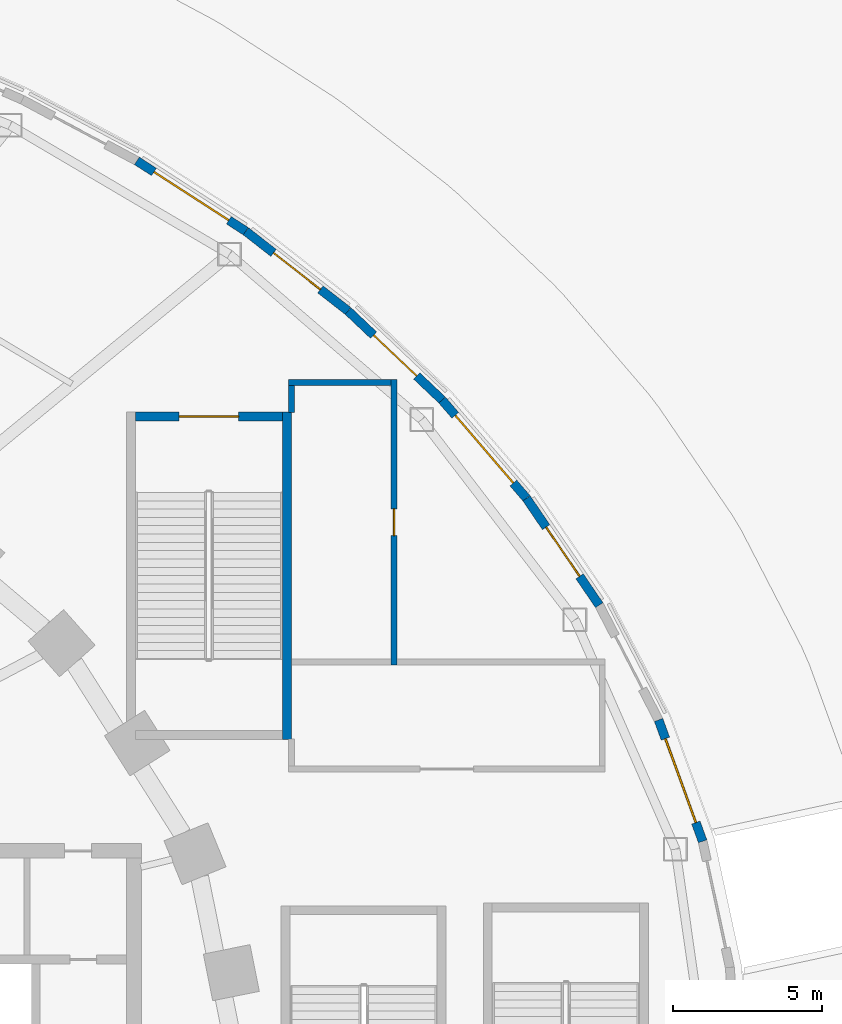
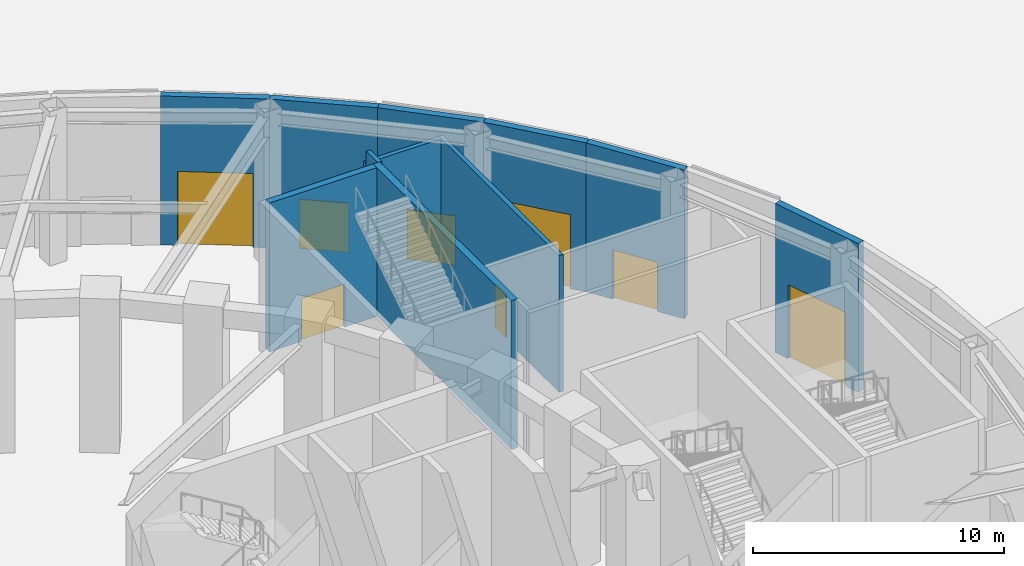
# One storey, part 49 of 79: 11 walls, 5 doors, 3 windows, 8 openings.
"""IFC4 building model written with IfcOpenShell, lengths in metres."""

from ifc_helpers import new_model, si_unit, direction, frame, frame_2d, origin, place, context, subcontext, project, spatial, rectangle, extrude, material, layer, layer_set, type_object, element, fill, save


model = new_model("IFC4")

# Units and contexts
model_context = context("Model", 3, precision=1e-05, world=origin(), true_north=direction((0.0, 1.0)))
body_context = subcontext(model_context, "Body", "Model", "MODEL_VIEW")
ifc_project = project(units=[si_unit("LENGTHUNIT", "METRE"), si_unit("AREAUNIT", "SQUARE_METRE"), si_unit("VOLUMEUNIT", "CUBIC_METRE"), si_unit("PLANEANGLEUNIT", "RADIAN"), si_unit("MASSUNIT", "GRAM", prefix="KILO")], contexts=[model_context])

# Site, building, storey
site_placement = place(None, origin())
site = spatial("IfcSite", under=ifc_project, at=site_placement, CompositionType="ELEMENT")
building_placement = place(site_placement, origin())
building = spatial("IfcBuilding", under=site, at=building_placement, Name="Noorbagh Ring Tower", CompositionType="ELEMENT")
storey_placement = place(building_placement, origin())
storey = spatial("IfcBuildingStorey", under=building, at=storey_placement, Name="L00", CompositionType="ELEMENT", Elevation=0.0)

# Wall, opening, window
ifc_material_1 = material(Name="Blockwork faced with red sandstone", Category="masonry")
ifc_layer_1 = layer(ifc_material_1, 0.300048828125)
ifc_layer_set_1 = layer_set([ifc_layer_1], Name="Blockwork faced with red sandstone")
wall_type_1 = type_object("IfcWallType", Name="GND-ENV-WALL", PredefinedType="SOLIDWALL", material=ifc_layer_set_1)
wall_1_placement = place(storey_placement, frame((50.3759765625, 8.56787109375, 0.0), z_axis=(0.0, 0.0, 1.0), x_axis=(-0.341286990045, 0.939959142956, 0.0)))
wall_1 = element("IfcWall", 1, at=wall_1_placement, inside=storey, type_object=wall_type_1, Name="Podium wall", PredefinedType="SOLIDWALL", context=body_context, shape_type="SweptSolid", body=[
    extrude(rectangle(XDim=4.341552734375, YDim=0.300048828125, at=frame_2d((2.1708984375, 0.0))), origin(), (0.0, 0.0, 1.0), 7.25),
])
opening_1_placement = place(wall_1_placement, frame((0.6708984375, 0.0, 0.0)))
opening_1 = element("IfcOpeningElement", 2, at=opening_1_placement, cuts=wall_1, Name="Opening GWN2", PredefinedType="OPENING", context=body_context, shape_type="SweptSolid", body=[
    extrude(rectangle(XDim=3.0, YDim=3.60009765625, at=frame_2d((1.5, 1.800048828125))), frame((0.0, 0.16015625, 0.0), z_axis=(0.0, -1.0, 0.0), x_axis=(1.0, 0.0, 0.0)), (0.0, 0.0, 1.0), 0.320068359375),
])
ifc_material_2 = material(Name="Aluminium and glass", Category="aluminium")
window_type = type_object("IfcWindowType", Name="GND-ENV-SHOPFRONT", PartitioningType="SINGLE_PANEL", PredefinedType="WINDOW", material=ifc_material_2)
window_1_placement = place(opening_1_placement, origin())
window_1 = element("IfcWindow", 3, at=window_1_placement, inside=storey, type_object=window_type, Name="L00 podium window", OverallHeight=3.60009765625, OverallWidth=3.0, PartitioningType="SINGLE_PANEL", PredefinedType="WINDOW", context=body_context, shape_type="SweptSolid", body=[
    extrude(rectangle(XDim=3.0, YDim=3.60009765625, at=frame_2d((1.5, 1.800048828125))), frame((0.0, 0.030029296875, 0.0), z_axis=(0.0, -1.0, 0.0), x_axis=(1.0, 0.0, 0.0)), (0.0, 0.0, 1.0), 0.06005859375),
])
fill(opening_1, window_1)

# Wall, opening, door
wall_2_placement = place(storey_placement, frame((46.89892578125, 16.50830078125, 0.0), z_axis=(0.0, 0.0, 1.0), x_axis=(-0.562667738859, 0.82668314102, 0.0)))
wall_2 = element("IfcWall", 4, at=wall_2_placement, inside=storey, type_object=wall_type_1, Name="Podium wall", PredefinedType="SOLIDWALL", context=body_context, shape_type="SweptSolid", body=[
    extrude(rectangle(XDim=4.348876953125, YDim=0.300048828125, at=frame_2d((2.17431640625, 0.0))), origin(), (0.0, 0.0, 1.0), 7.25),
])
opening_2_placement = place(wall_2_placement, frame((1.17431640625, 0.0, 0.0)))
opening_2 = element("IfcOpeningElement", 5, at=opening_2_placement, cuts=wall_2, Name="Opening GD13", PredefinedType="OPENING", context=body_context, shape_type="SweptSolid", body=[
    extrude(rectangle(XDim=2.0, YDim=2.39990234375, at=frame_2d((1.0, 1.199951171875))), frame((0.0, 0.16015625, 0.0), z_axis=(0.0, -1.0, 0.0), x_axis=(1.0, 0.0, 0.0)), (0.0, 0.0, 1.0), 0.320068359375),
])
ifc_material_3 = material(Name="Aluminium and glass", Category="aluminium")
door_type_1 = type_object("IfcDoorType", Name="GND-DOOR-EXIT", OperationType="DOUBLE_DOOR_SINGLE_SWING", PredefinedType="DOOR", material=ifc_material_3)
door_1_placement = place(opening_2_placement, frame((2.0, 0.0, 0.0), z_axis=(0.0, 0.0, 1.0), x_axis=(-1.0, 0.0, 0.0)))
door_1 = element("IfcDoor", 6, at=door_1_placement, inside=storey, type_object=door_type_1, Name="Exit door FX02", OperationType="DOUBLE_DOOR_SINGLE_SWING", OverallHeight=2.39990234375, OverallWidth=2.0, PredefinedType="DOOR", context=body_context, shape_type="SweptSolid", body=[
    extrude(rectangle(XDim=2.0, YDim=2.39990234375, at=frame_2d((1.0, 1.199951171875))), frame((0.0, 0.025146484375, 0.0), z_axis=(0.0, -1.0, 0.0), x_axis=(1.0, 0.0, 0.0)), (0.0, 0.0, 1.0), 0.050048828125),
])
fill(opening_2, door_1)

# Wall, opening, window
wall_3_placement = place(storey_placement, frame((44.451904296875, 20.103515625, 0.0), z_axis=(0.0, 0.0, 1.0), x_axis=(-0.651387059497, 0.758745608699, 0.0)))
wall_3 = element("IfcWall", 7, at=wall_3_placement, inside=storey, type_object=wall_type_1, Name="Podium wall", PredefinedType="SOLIDWALL", context=body_context, shape_type="SweptSolid", body=[
    extrude(rectangle(XDim=4.3525390625, YDim=0.300048828125, at=frame_2d((2.17626953125, 0.0))), origin(), (0.0, 0.0, 1.0), 7.25),
])
opening_3_placement = place(wall_3_placement, frame((0.67626953125, 0.0, 0.0)))
opening_3 = element("IfcOpeningElement", 8, at=opening_3_placement, cuts=wall_3, Name="Opening GWN2", PredefinedType="OPENING", context=body_context, shape_type="SweptSolid", body=[
    extrude(rectangle(XDim=3.0, YDim=3.60009765625, at=frame_2d((1.5, 1.800048828125))), frame((0.0, 0.16015625, 0.0), z_axis=(0.0, -1.0, 0.0), x_axis=(1.0, 0.0, 0.0)), (0.0, 0.0, 1.0), 0.320068359375),
])
window_2_placement = place(opening_3_placement, origin())
window_2 = element("IfcWindow", 9, at=window_2_placement, inside=storey, type_object=window_type, Name="L00 podium window", OverallHeight=3.60009765625, OverallWidth=3.0, PartitioningType="SINGLE_PANEL", PredefinedType="WINDOW", context=body_context, shape_type="SweptSolid", body=[
    extrude(rectangle(XDim=3.0, YDim=3.60009765625, at=frame_2d((1.5, 1.800048828125))), frame((0.0, 0.030029296875, 0.0), z_axis=(0.0, -1.0, 0.0), x_axis=(1.0, 0.0, 0.0)), (0.0, 0.0, 1.0), 0.06005859375),
])
fill(opening_3, window_2)

# Wall, opening, door
wall_4_placement = place(storey_placement, frame((41.61669921875, 23.406005859375, 0.0), z_axis=(0.0, 0.0, 1.0), x_axis=(-0.72620446032, 0.687478786444, 0.0)))
wall_4 = element("IfcWall", 10, at=wall_4_placement, inside=storey, type_object=wall_type_1, Name="Podium wall", PredefinedType="SOLIDWALL", context=body_context, shape_type="SweptSolid", body=[
    extrude(rectangle(XDim=4.356201171875, YDim=0.300048828125, at=frame_2d((2.17822265625, 0.0))), origin(), (0.0, 0.0, 1.0), 7.25),
])
opening_4_placement = place(wall_4_placement, frame((1.177978515625, 0.0, 0.0)))
opening_4 = element("IfcOpeningElement", 11, at=opening_4_placement, cuts=wall_4, Name="Opening GD13", PredefinedType="OPENING", context=body_context, shape_type="SweptSolid", body=[
    extrude(rectangle(XDim=2.0, YDim=2.39990234375, at=frame_2d((1.0, 1.199951171875))), frame((0.0, 0.16015625, 0.0), z_axis=(0.0, -1.0, 0.0), x_axis=(1.0, 0.0, 0.0)), (0.0, 0.0, 1.0), 0.320068359375),
])
door_2_placement = place(opening_4_placement, frame((2.0, 0.0, 0.0), z_axis=(0.0, 0.0, 1.0), x_axis=(-1.0, 0.0, 0.0)))
door_2 = element("IfcDoor", 12, at=door_2_placement, inside=storey, type_object=door_type_1, Name="Exit door FX03", OperationType="DOUBLE_DOOR_SINGLE_SWING", OverallHeight=2.39990234375, OverallWidth=2.0, PredefinedType="DOOR", context=body_context, shape_type="SweptSolid", body=[
    extrude(rectangle(XDim=2.0, YDim=2.39990234375, at=frame_2d((1.0, 1.199951171875))), frame((0.0, 0.025146484375, 0.0), z_axis=(0.0, -1.0, 0.0), x_axis=(1.0, 0.0, 0.0)), (0.0, 0.0, 1.0), 0.050048828125),
])
fill(opening_4, door_2)

wall_5_placement = place(storey_placement, frame((38.453125, 26.40087890625, 0.0), z_axis=(0.0, 0.0, 1.0), x_axis=(-0.788491985196, 0.615045030288, 0.0)))
wall_5 = element("IfcWall", 13, at=wall_5_placement, inside=storey, type_object=wall_type_1, Name="Podium wall", PredefinedType="SOLIDWALL", context=body_context, shape_type="SweptSolid", body=[
    extrude(rectangle(XDim=4.359375, YDim=0.300048828125, at=frame_2d((2.1796875, 0.0))), origin(), (0.0, 0.0, 1.0), 7.25),
])
opening_5_placement = place(wall_5_placement, frame((1.1796875, 0.0, 0.0)))
opening_5 = element("IfcOpeningElement", 14, at=opening_5_placement, cuts=wall_5, Name="Opening GD13", PredefinedType="OPENING", context=body_context, shape_type="SweptSolid", body=[
    extrude(rectangle(XDim=2.0, YDim=2.39990234375, at=frame_2d((1.0, 1.199951171875))), frame((0.0, 0.16015625, 0.0), z_axis=(0.0, -1.0, 0.0), x_axis=(1.0, 0.0, 0.0)), (0.0, 0.0, 1.0), 0.320068359375),
])
door_3_placement = place(opening_5_placement, frame((2.0, 0.0, 0.0), z_axis=(0.0, 0.0, 1.0), x_axis=(-1.0, 0.0, 0.0)))
door_3 = element("IfcDoor", 15, at=door_3_placement, inside=storey, type_object=door_type_1, Name="Exit door FX04", OperationType="DOUBLE_DOOR_SINGLE_SWING", OverallHeight=2.39990234375, OverallWidth=2.0, PredefinedType="DOOR", context=body_context, shape_type="SweptSolid", body=[
    extrude(rectangle(XDim=2.0, YDim=2.39990234375, at=frame_2d((1.0, 1.199951171875))), frame((0.0, 0.025146484375, 0.0), z_axis=(0.0, -1.0, 0.0), x_axis=(1.0, 0.0, 0.0)), (0.0, 0.0, 1.0), 0.050048828125),
])
fill(opening_5, door_3)

# Wall, opening, window
wall_6_placement = place(storey_placement, frame((35.015869140625, 29.08203125, 0.0), z_axis=(0.0, 0.0, 1.0), x_axis=(-0.840047348843, 0.542513088969, 0.0)))
wall_6 = element("IfcWall", 16, at=wall_6_placement, inside=storey, type_object=wall_type_1, Name="Podium wall", PredefinedType="SOLIDWALL", context=body_context, shape_type="SweptSolid", body=[
    extrude(rectangle(XDim=4.362060546875, YDim=0.300048828125, at=frame_2d((2.18115234375, 0.0))), origin(), (0.0, 0.0, 1.0), 7.25),
])
opening_6_placement = place(wall_6_placement, frame((0.680908203125, 0.0, 0.0)))
opening_6 = element("IfcOpeningElement", 17, at=opening_6_placement, cuts=wall_6, Name="Opening GWN2", PredefinedType="OPENING", context=body_context, shape_type="SweptSolid", body=[
    extrude(rectangle(XDim=3.0, YDim=3.60009765625, at=frame_2d((1.5, 1.800048828125))), frame((0.0, 0.16015625, 0.0), z_axis=(0.0, -1.0, 0.0), x_axis=(1.0, 0.0, 0.0)), (0.0, 0.0, 1.0), 0.320068359375),
])
window_3_placement = place(opening_6_placement, origin())
window_3 = element("IfcWindow", 18, at=window_3_placement, inside=storey, type_object=window_type, Name="L00 podium window", OverallHeight=3.60009765625, OverallWidth=3.0, PartitioningType="SINGLE_PANEL", PredefinedType="WINDOW", context=body_context, shape_type="SweptSolid", body=[
    extrude(rectangle(XDim=3.0, YDim=3.60009765625, at=frame_2d((1.5, 1.800048828125))), frame((0.0, 0.030029296875, 0.0), z_axis=(0.0, -1.0, 0.0), x_axis=(1.0, 0.0, 0.0)), (0.0, 0.0, 1.0), 0.06005859375),
])
fill(opening_6, window_3)

# Walls
ifc_material_4 = material(Name="Reinforced blockwork", Category="masonry")
ifc_layer_2 = layer(ifc_material_4, 0.199951171875)
ifc_layer_set_2 = layer_set([ifc_layer_2], Name="Reinforced blockwork")
wall_type_2 = type_object("IfcWallType", Name="GND-PART-200", PredefinedType="PARTITIONING", material=ifc_layer_set_2)
wall_7_placement = place(storey_placement, frame((36.550048828125, 22.989990234375, 0.0), z_axis=(0.0, 0.0, 1.0), x_axis=(0.0, 1.0, 0.0)))
element("IfcWall", 19, at=wall_7_placement, inside=storey, type_object=wall_type_2, Name="L00/wall/P021", PredefinedType="PARTITIONING", context=body_context, shape_type="SweptSolid", body=[
    extrude(rectangle(XDim=0.909912109375, YDim=0.199951171875, at=frame_2d((0.455078125, 0.0))), origin(), (0.0, 0.0, 1.0), 7.25),
])
wall_8_placement = place(storey_placement, frame((36.449951171875, 24.0, 0.0), z_axis=(0.0, 0.0, 1.0), x_axis=(1.0, 0.0, 0.0)))
element("IfcWall", 20, at=wall_8_placement, inside=storey, type_object=wall_type_2, Name="L00/wall/P022", PredefinedType="PARTITIONING", context=body_context, shape_type="SweptSolid", body=[
    extrude(rectangle(XDim=3.449951171875, YDim=0.199951171875, at=frame_2d((1.72509765625, 0.0))), origin(), (0.0, 0.0, 1.0), 6.64990234375),
])

# Wall, opening, door
wall_9_placement = place(storey_placement, frame((40.0, 24.10009765625, 0.0), z_axis=(0.0, 0.0, 1.0), x_axis=(0.0, -1.0, 0.0)))
wall_9 = element("IfcWall", 21, at=wall_9_placement, inside=storey, type_object=wall_type_2, Name="L00/wall/P023", PredefinedType="PARTITIONING", context=body_context, shape_type="SweptSolid", body=[
    extrude(rectangle(XDim=9.60009765625, YDim=0.199951171875, at=frame_2d((4.800048828125, 0.0))), origin(), (0.0, 0.0, 1.0), 6.64990234375),
])
opening_7_placement = place(wall_9_placement, frame((4.35009765625, 0.0, 0.0)))
opening_7 = element("IfcOpeningElement", 22, at=opening_7_placement, cuts=wall_9, Name="Opening GD10", PredefinedType="OPENING", context=body_context, shape_type="SweptSolid", body=[
    extrude(rectangle(XDim=0.89990234375, YDim=2.10009765625, at=frame_2d((0.449951171875, 1.050048828125))), frame((0.0, 0.10986328125, 0.0), z_axis=(0.0, -1.0, 0.0), x_axis=(1.0, 0.0, 0.0)), (0.0, 0.0, 1.0), 0.219970703125),
])
ifc_material_5 = material(Name="Steel", Category="steel")
door_type_2 = type_object("IfcDoorType", Name="GND-DOOR-HALL-FD60", OperationType="SINGLE_SWING_LEFT", PredefinedType="DOOR", material=ifc_material_5)
door_4_placement = place(opening_7_placement, origin())
door_4 = element("IfcDoor", 23, at=door_4_placement, inside=storey, type_object=door_type_2, Name="Goods store door", OperationType="SINGLE_SWING_RIGHT", OverallHeight=2.10009765625, OverallWidth=0.89990234375, PredefinedType="DOOR", context=body_context, shape_type="SweptSolid", body=[
    extrude(rectangle(XDim=0.89990234375, YDim=2.10009765625, at=frame_2d((0.449951171875, 1.050048828125))), frame((0.0, 0.02490234375, 0.0), z_axis=(0.0, -1.0, 0.0), x_axis=(1.0, 0.0, 0.0)), (0.0, 0.0, 1.0), 0.050048828125),
])
fill(opening_7, door_4)

# Wall
ifc_material_6 = material(Name="Concrete C60/75", Category="concrete")
ifc_layer_3 = layer(ifc_material_6, 0.300048828125)
ifc_layer_set_3 = layer_set([ifc_layer_3], Name="Concrete C60/75")
wall_type_3 = type_object("IfcWallType", Name="GND-STAIR-WALL", PredefinedType="SHEAR", material=ifc_layer_set_3)
wall_10_placement = place(storey_placement, frame((36.39990234375, 12.0, 0.0), z_axis=(0.0, 0.0, 1.0), x_axis=(0.0, 1.0, 0.0)))
element("IfcWall", 24, at=wall_10_placement, inside=storey, type_object=wall_type_3, Name="Exit stair ST-P5 wall", PredefinedType="SHEAR", context=body_context, shape_type="SweptSolid", body=[
    extrude(rectangle(XDim=11.0, YDim=0.300048828125, at=frame_2d((5.5, 0.0))), origin(), (0.0, 0.0, 1.0), 7.25),
])

# Wall, opening, door
wall_11_placement = place(storey_placement, frame((31.300048828125, 22.85009765625, 0.0), z_axis=(0.0, 0.0, 1.0), x_axis=(1.0, 0.0, 0.0)))
wall_11 = element("IfcWall", 25, at=wall_11_placement, inside=storey, type_object=wall_type_3, Name="Exit stair ST-P5 wall", PredefinedType="SHEAR", context=body_context, shape_type="SweptSolid", body=[
    extrude(rectangle(XDim=4.949951171875, YDim=0.300048828125, at=frame_2d((2.47509765625, 0.0))), origin(), (0.0, 0.0, 1.0), 7.25),
])
opening_8_placement = place(wall_11_placement, frame((1.47509765625, 0.0, 0.0)))
opening_8 = element("IfcOpeningElement", 26, at=opening_8_placement, cuts=wall_11, Name="Opening GD17", PredefinedType="OPENING", context=body_context, shape_type="SweptSolid", body=[
    extrude(rectangle(XDim=2.0, YDim=2.10009765625, at=frame_2d((1.0, 1.050048828125))), frame((0.0, 0.16015625, 0.0), z_axis=(0.0, -1.0, 0.0), x_axis=(1.0, 0.0, 0.0)), (0.0, 0.0, 1.0), 0.320068359375),
])
ifc_material_7 = material(Name="Steel", Category="steel")
door_type_3 = type_object("IfcDoorType", Name="GND-STAIR-DOOR", OperationType="DOUBLE_DOOR_SINGLE_SWING", PredefinedType="DOOR", material=ifc_material_7)
door_5_placement = place(opening_8_placement, origin())
door_5 = element("IfcDoor", 27, at=door_5_placement, inside=storey, type_object=door_type_3, Name="Exit stair ST-P5 door", OperationType="DOUBLE_DOOR_SINGLE_SWING", OverallHeight=2.10009765625, OverallWidth=2.0, PredefinedType="DOOR", context=body_context, shape_type="SweptSolid", body=[
    extrude(rectangle(XDim=2.0, YDim=2.10009765625, at=frame_2d((1.0, 1.050048828125))), frame((0.0, 0.02490234375, 0.0), z_axis=(0.0, -1.0, 0.0), x_axis=(1.0, 0.0, 0.0)), (0.0, 0.0, 1.0), 0.050048828125),
])
fill(opening_8, door_5)

save(model, "model.ifc")
